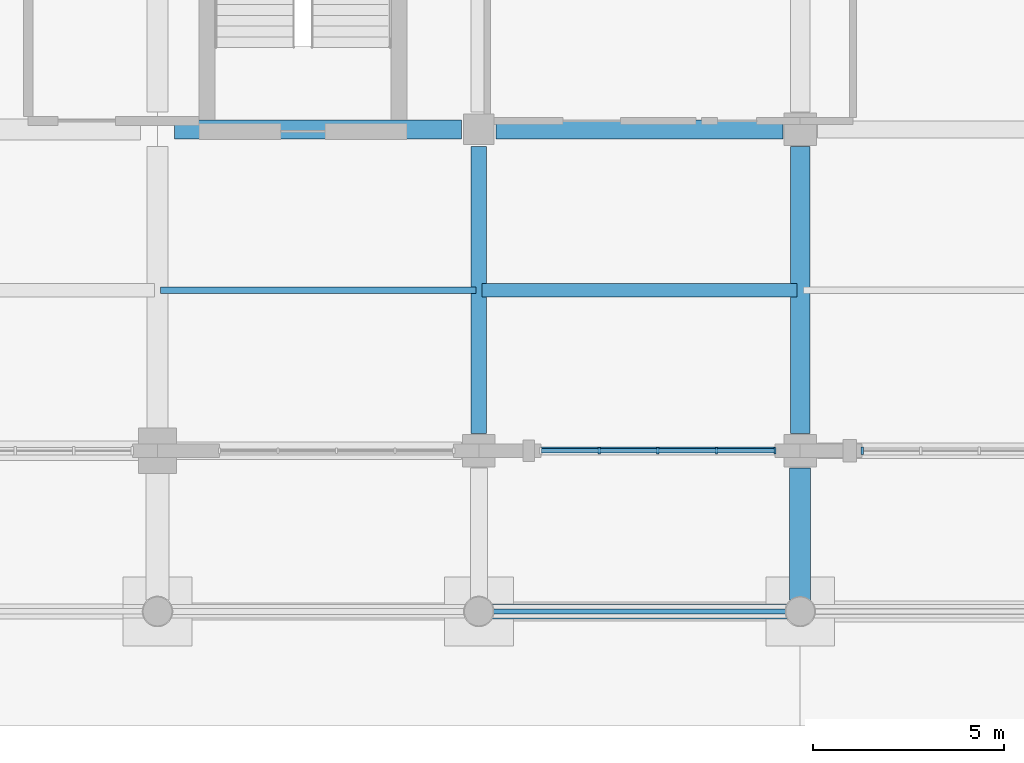
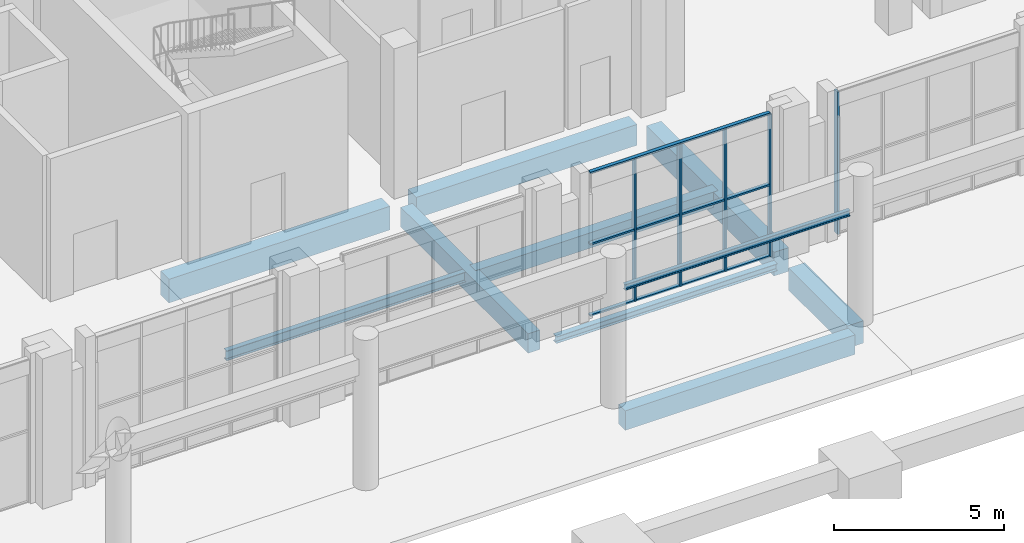
# One storey, part 27 of 82: 10 beams, 8 members, 2 elements without a shape of their own.
"""IFC4 building model written with IfcOpenShell, lengths in metres."""

from ifc_helpers import new_model, si_unit, derived_unit, direction, frame, origin, origin_2d, place, context, subcontext, project, spatial, rectangle, i_section, extrude, material, material_profile, profile_set, type_object, element, aggregate, save


model = new_model("IFC4")

# Units and contexts
model_context = context("Model", 3, precision=1e-05, world=origin(), true_north=direction((0.0, 1.0)))
body_context = subcontext(model_context, "Body", "Model", "MODEL_VIEW")
ifc_project = project(units=[si_unit("LENGTHUNIT", "METRE"), si_unit("AREAUNIT", "SQUARE_METRE"), si_unit("VOLUMEUNIT", "CUBIC_METRE"), si_unit("PLANEANGLEUNIT", "RADIAN"), si_unit("MASSUNIT", "GRAM", prefix="KILO"), derived_unit("THERMALTRANSMITTANCEUNIT", [(si_unit("POWERUNIT", "WATT"), 1), (si_unit("LENGTHUNIT", "METRE"), -2), (si_unit("THERMODYNAMICTEMPERATUREUNIT", "KELVIN"), -1)])], contexts=[model_context])

# Site, building, storey
site_placement = place(None, origin())
site = spatial("IfcSite", under=ifc_project, at=site_placement, CompositionType="ELEMENT")
building_placement = place(site_placement, origin())
building = spatial("IfcBuilding", under=site, at=building_placement, Name="Barrovel Congress Hotel", CompositionType="ELEMENT")
storey_placement = place(building_placement, origin())
storey = spatial("IfcBuildingStorey", under=building, at=storey_placement, Name="L00", CompositionType="ELEMENT", Elevation=0.0)

# Beams
ifc_material_1 = material(Name="Concrete C40", Category="concrete")
ifc_material_profile_1 = material_profile(ifc_material_1, rectangle(XDim=0.35009765625, YDim=0.550048828125, at=origin_2d()), Name="RC350x550")
ifc_profile_set_1 = profile_set([ifc_material_profile_1], Name="Concrete C40")
beam_type_1 = type_object("IfcBeamType", Name="BM-RC350x550", PredefinedType="JOIST", material=ifc_profile_set_1)
beam_1_placement = place(storey_placement, frame((84.080078125, 8.39990234375, -0.594970703125), z_axis=(1.0, 0.0, 0.0), x_axis=(0.0, 1.0, 0.0)))
element("IfcBeam", 1, at=beam_1_placement, inside=storey, type_object=beam_type_1, Name="JST:L00:84.0:8.4", PredefinedType="JOIST", context=body_context, shape_type="SweptSolid", body=[
    extrude(rectangle(XDim=0.35009765625, YDim=0.550048828125, at=origin_2d()), origin(), (0.0, 0.0, 1.0), 8.239990234375),
])
ifc_material_profile_2 = material_profile(ifc_material_1, rectangle(XDim=0.39990234375, YDim=0.699951171875, at=origin_2d()), Name="RC400x700")
ifc_profile_set_2 = profile_set([ifc_material_profile_2], Name="Concrete C40")
beam_type_2 = type_object("IfcBeamType", Name="BM-RC400x700", PredefinedType="BEAM", material=ifc_profile_set_2)
beam_2_placement = place(storey_placement, frame((84.300048828125, 0.0, -0.669921875), z_axis=(1.0, 0.0, 0.0), x_axis=(0.0, 1.0, 0.0)))
element("IfcBeam", 2, at=beam_2_placement, inside=storey, type_object=beam_type_2, Name="BMX:L00:0.0:84.0-92.4", PredefinedType="BEAM", context=body_context, shape_type="SweptSolid", body=[
    extrude(rectangle(XDim=0.39990234375, YDim=0.699951171875, at=origin_2d()), origin(), (0.0, 0.0, 1.0), 7.800048828125),
])
beam_3_placement = place(storey_placement, frame((84.0, 4.64990234375, -0.669921875), z_axis=(0.0, 1.0, 0.0), x_axis=(-1.0, 0.0, 0.0)))
element("IfcBeam", 3, at=beam_3_placement, inside=storey, type_object=beam_type_2, Name="BMY:L00:84.0:4.2-12.6", PredefinedType="BEAM", context=body_context, shape_type="SweptSolid", body=[
    extrude(rectangle(XDim=0.39990234375, YDim=0.699951171875, at=origin_2d()), origin(), (0.0, 0.0, 1.0), 7.5),
])
ifc_material_profile_3 = material_profile(ifc_material_1, rectangle(XDim=0.5, YDim=0.75, at=origin_2d()), Name="RC500x750")
ifc_profile_set_3 = profile_set([ifc_material_profile_3], Name="Concrete C40")
beam_type_3 = type_object("IfcBeamType", Name="BM-RC500x750", PredefinedType="BEAM", material=ifc_profile_set_3)
beam_4_placement = place(storey_placement, frame((84.449951171875, 12.60009765625, -0.695068359375), z_axis=(1.0, 0.0, 0.0), x_axis=(0.0, 1.0, 0.0)))
element("IfcBeam", 4, at=beam_4_placement, inside=storey, type_object=beam_type_3, Name="BMX:L00:12.6:84.0-92.4", PredefinedType="BEAM", context=body_context, shape_type="SweptSolid", body=[
    extrude(rectangle(XDim=0.5, YDim=0.75, at=origin_2d()), origin(), (0.0, 0.0, 1.0), 7.5),
])
ifc_material_profile_4 = material_profile(ifc_material_1, rectangle(XDim=0.5, YDim=0.85009765625, at=origin_2d()), Name="RC500x850")
ifc_profile_set_4 = profile_set([ifc_material_profile_4], Name="Concrete C40")
beam_type_4 = type_object("IfcBeamType", Name="BM-RC500x850", PredefinedType="BEAM", material=ifc_profile_set_4)
for number, where, z_axis, x_axis, name in (
    (5, (76.050048828125, 12.60009765625, -0.7451171875), (1.0, 0.0, 0.0), (0.0, 1.0, 0.0), "BMX:L00:12.6:75.6-84.0"),
    (6, (92.39990234375, 4.64990234375, -0.7451171875), (0.0, 1.0, 0.0), (-1.0, 0.0, 0.0), "BMY:L00:92.4:4.2-12.6"),
):
    element("IfcBeam", number, at=place(storey_placement, frame(where, z_axis=z_axis, x_axis=x_axis)), inside=storey, type_object=beam_type_4, Name=name, PredefinedType="BEAM", context=body_context, shape_type="SweptSolid", body=[
        extrude(rectangle(XDim=0.5, YDim=0.85009765625, at=origin_2d()), origin(), (0.0, 0.0, 1.0), 7.5),
    ])
ifc_material_profile_5 = material_profile(ifc_material_1, rectangle(XDim=0.550048828125, YDim=0.800048828125, at=origin_2d()), Name="RC550x800")
ifc_profile_set_5 = profile_set([ifc_material_profile_5], Name="Concrete C40")
beam_type_5 = type_object("IfcBeamType", Name="BM-RC550x800", PredefinedType="BEAM", material=ifc_profile_set_5)
beam_5_placement = place(storey_placement, frame((92.39990234375, 0.300048828125, -0.719970703125), z_axis=(0.0, 1.0, 0.0), x_axis=(-1.0, 0.0, 0.0)))
element("IfcBeam", 7, at=beam_5_placement, inside=storey, type_object=beam_type_5, Name="BMY:L00:92.4:0.0-4.2", PredefinedType="BEAM", context=body_context, shape_type="SweptSolid", body=[
    extrude(rectangle(XDim=0.550048828125, YDim=0.800048828125, at=origin_2d()), origin(), (0.0, 0.0, 1.0), 3.449951171875),
])

# Curtain wall, members
ifc_material_2 = material(Name="Anodised Aluminium Alloy 6063-T6", Category="aluminium")
curtain_wall_type = type_object("IfcCurtainWallType", Name="CW-ST-7200x4800", PredefinedType="USERDEFINED", material=ifc_material_2)
curtain_wall_1_placement = place(storey_placement, origin())
curtain_wall_1 = element("IfcCurtainWall", 8, at=curtain_wall_1_placement, inside=storey, type_object=curtain_wall_type, Name="CW:L00:S:10", ObjectType="STICK CURTAIN WALL", PredefinedType="USERDEFINED")
ifc_material_profile_6 = material_profile(ifc_material_2, rectangle(XDim=0.06005859375, YDim=0.1650390625, at=origin_2d()), Name="AL-M60x165")
ifc_profile_set_6 = profile_set([ifc_material_profile_6], Name="Anodised Aluminium Alloy 6063-T6")
member_type_1 = type_object("IfcMemberType", Name="CWM-AL-M60x165", PredefinedType="MULLION", material=ifc_profile_set_6)
member_1_placement = place(storey_placement, frame((87.14990234375, 4.199951171875, 0.0), z_axis=(0.0, 0.0, 1.0), x_axis=(1.0, 0.0, 0.0)))
member_1 = element("IfcMember", 9, at=member_1_placement, type_object=member_type_1, Name="CW:L00:S:10:M1", PredefinedType="MULLION", context=body_context, shape_type="SweptSolid", body=[
    extrude(rectangle(XDim=0.06005859375, YDim=0.1650390625, at=origin_2d()), origin(), (0.0, 0.0, 1.0), 5.1201171875),
])
member_2_placement = place(storey_placement, frame((88.679931640625, 4.199951171875, 0.0), z_axis=(0.0, 0.0, 1.0), x_axis=(1.0, 0.0, 0.0)))
member_2 = element("IfcMember", 10, at=member_2_placement, type_object=member_type_1, Name="CW:L00:S:10:M2", PredefinedType="MULLION", context=body_context, shape_type="SweptSolid", body=[
    extrude(rectangle(XDim=0.06005859375, YDim=0.1650390625, at=origin_2d()), origin(), (0.0, 0.0, 1.0), 5.1201171875),
])
member_3_placement = place(storey_placement, frame((90.2099609375, 4.199951171875, 0.0), z_axis=(0.0, 0.0, 1.0), x_axis=(1.0, 0.0, 0.0)))
member_3 = element("IfcMember", 11, at=member_3_placement, type_object=member_type_1, Name="CW:L00:S:10:M3", PredefinedType="MULLION", context=body_context, shape_type="SweptSolid", body=[
    extrude(rectangle(XDim=0.06005859375, YDim=0.1650390625, at=origin_2d()), origin(), (0.0, 0.0, 1.0), 5.1201171875),
])
member_4_placement = place(storey_placement, frame((91.739990234375, 4.199951171875, 0.0), z_axis=(0.0, 0.0, 1.0), x_axis=(1.0, 0.0, 0.0)))
member_4 = element("IfcMember", 12, at=member_4_placement, type_object=member_type_1, Name="CW:L00:S:10:M4", PredefinedType="MULLION", context=body_context, shape_type="SweptSolid", body=[
    extrude(rectangle(XDim=0.06005859375, YDim=0.1650390625, at=origin_2d()), origin(), (0.0, 0.0, 1.0), 5.1201171875),
])

# Curtain wall, member
curtain_wall_2_placement = place(storey_placement, origin())
curtain_wall_2 = element("IfcCurtainWall", 13, at=curtain_wall_2_placement, inside=storey, type_object=curtain_wall_type, Name="CW:L00:S:11", ObjectType="STICK CURTAIN WALL", PredefinedType="USERDEFINED")
ifc_material_profile_7 = material_profile(ifc_material_2, rectangle(XDim=0.06494140625, YDim=0.18994140625, at=origin_2d()), Name="AL-M65x190")
ifc_profile_set_7 = profile_set([ifc_material_profile_7], Name="Anodised Aluminium Alloy 6063-T6")
member_type_2 = type_object("IfcMemberType", Name="CWM-AL-M65x190", PredefinedType="MULLION", material=ifc_profile_set_7)
member_5_placement = place(storey_placement, frame((94.02001953125, 4.199951171875, 0.0), z_axis=(0.0, 0.0, 1.0), x_axis=(1.0, 0.0, 0.0)))
member_5 = element("IfcMember", 14, at=member_5_placement, type_object=member_type_2, Name="CW:L00:S:11:M0", PredefinedType="MULLION", context=body_context, shape_type="SweptSolid", body=[
    extrude(rectangle(XDim=0.06494140625, YDim=0.18994140625, at=origin_2d()), origin(), (0.0, 0.0, 1.0), 5.1201171875),
])
aggregate(curtain_wall_2, [member_5])

# Member
ifc_material_profile_8 = material_profile(ifc_material_2, rectangle(XDim=0.125, YDim=0.06005859375, at=origin_2d()), Name="AL-T60x125")
ifc_profile_set_8 = profile_set([ifc_material_profile_8], Name="Anodised Aluminium Alloy 6063-T6")
member_type_3 = type_object("IfcMemberType", Name="CWT-AL-T60x125", PredefinedType="USERDEFINED", material=ifc_profile_set_8)
member_6_placement = place(storey_placement, frame((85.6201171875, 4.199951171875, 0.0), z_axis=(1.0, 0.0, 0.0), x_axis=(0.0, 1.0, 0.0)))
member_6 = element("IfcMember", 15, at=member_6_placement, type_object=member_type_3, Name="CW:L00:S:10:T0", ObjectType="TRANSOM", PredefinedType="USERDEFINED", context=body_context, shape_type="SweptSolid", body=[
    extrude(rectangle(XDim=0.125, YDim=0.06005859375, at=origin_2d()), origin(), (0.0, 0.0, 1.0), 6.119873046875),
])

member_7_placement = place(storey_placement, frame((85.6201171875, 4.199951171875, 2.56005859375), z_axis=(1.0, 0.0, 0.0), x_axis=(0.0, 1.0, 0.0)))
member_7 = element("IfcMember", 16, at=member_7_placement, type_object=member_type_3, Name="CW:L00:S:10:T1", ObjectType="TRANSOM", PredefinedType="USERDEFINED", context=body_context, shape_type="SweptSolid", body=[
    extrude(rectangle(XDim=0.125, YDim=0.06005859375, at=origin_2d()), origin(), (0.0, 0.0, 1.0), 6.119873046875),
])

member_8_placement = place(storey_placement, frame((85.6201171875, 4.199951171875, 5.1201171875), z_axis=(1.0, 0.0, 0.0), x_axis=(0.0, 1.0, 0.0)))
member_8 = element("IfcMember", 17, at=member_8_placement, type_object=member_type_3, Name="CW:L00:S:10:T2", ObjectType="TRANSOM", PredefinedType="USERDEFINED", context=body_context, shape_type="SweptSolid", body=[
    extrude(rectangle(XDim=0.125, YDim=0.06005859375, at=origin_2d()), origin(), (0.0, 0.0, 1.0), 6.119873046875),
])

aggregate(curtain_wall_1, [member_1, member_2, member_3, member_4, member_6, member_7, member_8])

# Beams
ifc_material_3 = material(Name="Steel ASTM A992 Grade 50", Category="steel")
ifc_material_profile_9 = material_profile(ifc_material_3, i_section(OverallWidth=0.133056640625, OverallDepth=0.20703125, WebThickness=0.005859375, FlangeThickness=0.00830078125, FilletRadius=0.010009765625, at=origin_2d()), Name="W200x27")
ifc_profile_set_9 = profile_set([ifc_material_profile_9], Name="Steel ASTM A992 Grade 50")
beam_type_6 = type_object("IfcBeamType", Name="SBM-W200x27", PredefinedType="LINTEL", material=ifc_profile_set_9)
beam_6_placement = place(storey_placement, frame((84.375, 0.0, 3.99658203125), z_axis=(1.0, 0.0, 0.0), x_axis=(0.0, 1.0, 0.0)))
element("IfcBeam", 18, at=beam_6_placement, inside=storey, type_object=beam_type_6, Name="LIN:L00:84.0-92.4", PredefinedType="LINTEL", context=body_context, shape_type="SweptSolid", body=[
    extrude(i_section(OverallWidth=0.133056640625, OverallDepth=0.20703125, WebThickness=0.005859375, FlangeThickness=0.00830078125, FilletRadius=0.010009765625, at=origin_2d()), origin(), (0.0, 0.0, 1.0), 7.64990234375),
])
ifc_material_profile_10 = material_profile(ifc_material_3, i_section(OverallWidth=0.201904296875, OverallDepth=0.2470703125, WebThickness=0.00732421875, FlangeThickness=0.010986328125, FilletRadius=0.011962890625, at=origin_2d()), Name="W250x49")
ifc_profile_set_10 = profile_set([ifc_material_profile_10], Name="Steel ASTM A992 Grade 50")
beam_type_7 = type_object("IfcBeamType", Name="SBM-W250x49", PredefinedType="SPANDREL", material=ifc_profile_set_10)
beam_7_placement = place(storey_placement, frame((84.449951171875, 4.199951171875, -0.443603515625), z_axis=(1.0, 0.0, 0.0), x_axis=(0.0, 1.0, 0.0)))
element("IfcBeam", 19, at=beam_7_placement, inside=storey, type_object=beam_type_7, Name="BMX:L00:4.2:84.0-92.4", PredefinedType="SPANDREL", context=body_context, shape_type="SweptSolid", body=[
    extrude(i_section(OverallWidth=0.201904296875, OverallDepth=0.2470703125, WebThickness=0.00732421875, FlangeThickness=0.010986328125, FilletRadius=0.011962890625, at=origin_2d()), origin(), (0.0, 0.0, 1.0), 7.5),
])
ifc_material_profile_11 = material_profile(ifc_material_3, i_section(OverallWidth=0.1708984375, OverallDepth=0.35205078125, WebThickness=0.0068359375, FlangeThickness=0.009765625, FilletRadius=0.011962890625, at=origin_2d()), Name="W360x44")
ifc_profile_set_11 = profile_set([ifc_material_profile_11], Name="Steel ASTM A992 Grade 50")
beam_type_8 = type_object("IfcBeamType", Name="SBM-W360x44", PredefinedType="JOIST", material=ifc_profile_set_11)
beam_8_placement = place(storey_placement, frame((75.679931640625, 8.39990234375, -0.49609375), z_axis=(1.0, 0.0, 0.0), x_axis=(0.0, 1.0, 0.0)))
element("IfcBeam", 20, at=beam_8_placement, inside=storey, type_object=beam_type_8, Name="JST:L00:75.6:8.4", PredefinedType="JOIST", context=body_context, shape_type="SweptSolid", body=[
    extrude(i_section(OverallWidth=0.1708984375, OverallDepth=0.35205078125, WebThickness=0.0068359375, FlangeThickness=0.009765625, FilletRadius=0.011962890625, at=origin_2d()), origin(), (0.0, 0.0, 1.0), 8.239990234375),
])

save(model, "model.ifc")
